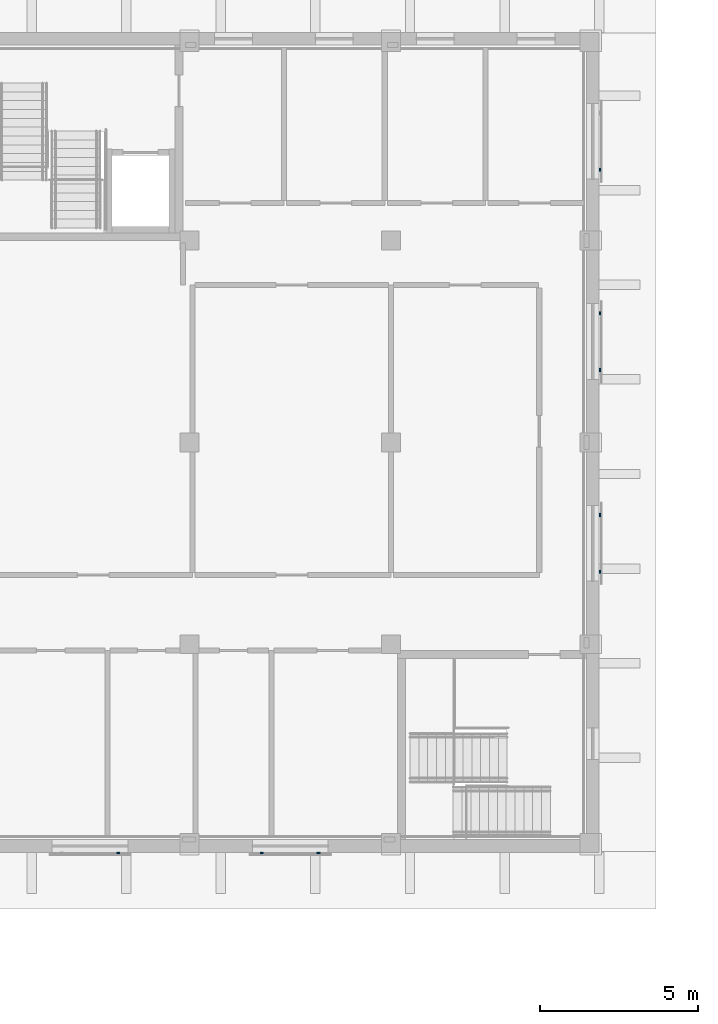
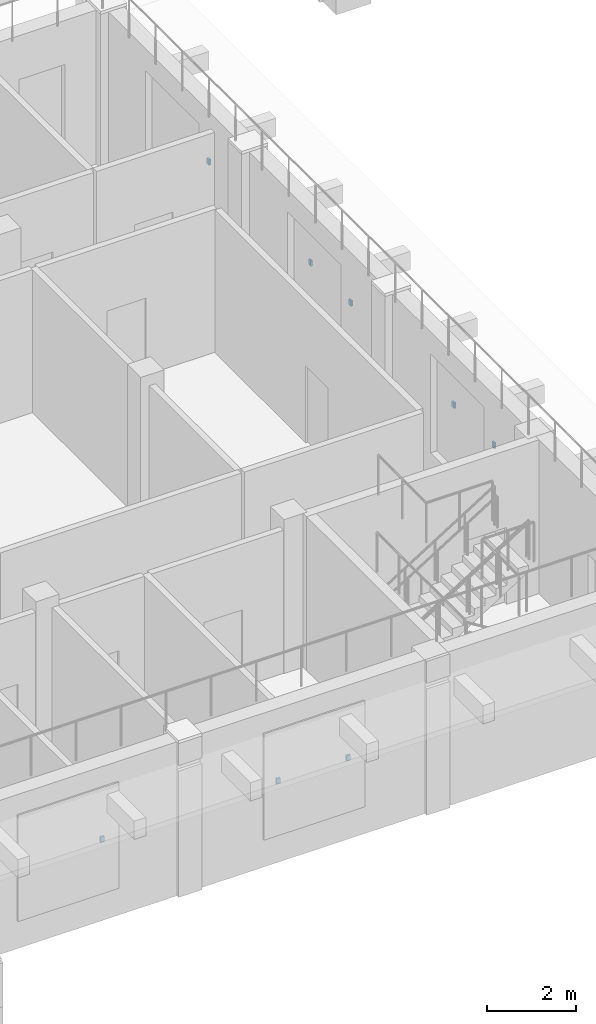
# One storey, part 42 of 68: 8 discrete accessories.
"""IFC4 building model written with IfcOpenShell, lengths in metres."""

import ifcopenshell
import ifcopenshell.guid

model = None  # the IFC model being written
_history = None  # IfcOwnerHistory: only IFC2X3 demands one
_inside = {}  # id of a spatial element -> (the spatial element, [elements in it])
_under = {}  # id of a project, library or spatial element -> (it, [spatial elements below it])
_declared = {}  # id of a project -> (the project, [libraries it declares])
_typed = {}  # id of a type object -> (the type object, [elements of that type])
_made_of = {}  # id of a material, layer set ... -> (it, [elements and type objects made of it])


def new_model(schema):
    """Start an empty IFC model of exactly this schema.

    Asked for "IFC4X3", IfcOpenShell would pick the latest addendum, in which some entities
    have other attributes; the version numbers below select the first issue.
    IFC2X3 requires an IfcOwnerHistory on every rooted entity: one is made here for all.
    """
    global model, _history
    if schema == "IFC4X3":
        model = ifcopenshell.file(schema_version=(4, 3, 0, 0))
    else:
        model = ifcopenshell.file(schema=schema)
    _inside.clear()
    _under.clear()
    _declared.clear()
    _typed.clear()
    _made_of.clear()
    _history = None
    if model.schema == "IFC2X3":
        org = make("IfcOrganization", Name="unknown")
        user = make(
            "IfcPersonAndOrganization",
            ThePerson=make("IfcPerson", FamilyName="unknown"),
            TheOrganization=org,
        )
        app = make(
            "IfcApplication",
            ApplicationDeveloper=org,
            Version="unknown",
            ApplicationFullName="unknown",
            ApplicationIdentifier="unknown",
        )
        _history = make(
            "IfcOwnerHistory",
            OwningUser=user,
            OwningApplication=app,
            ChangeAction="ADDED",
            CreationDate=0,
        )
    return model


def make(cls, **values):
    """One entity of the class cls with the attributes given. An attribute that is None is left unset."""
    return model.create_entity(
        cls, **{name: value for name, value in values.items() if value is not None}
    )


def rooted(cls, **values):
    """An entity with a GlobalId (a new one), such as an element, a storey or a relation."""
    return make(cls, GlobalId=ifcopenshell.guid.new(), OwnerHistory=_history, **values)


def si_unit(unit_type, name, prefix=None):
    """IfcSIUnit, for example si_unit("LENGTHUNIT", "METRE", prefix="MILLI")."""
    return make("IfcSIUnit", UnitType=unit_type, Prefix=prefix, Name=name)


def assignment(units):
    """IfcUnitAssignment: the units of a project."""
    return None if units is None else make("IfcUnitAssignment", Units=units)


def point(xyz):
    """IfcCartesianPoint."""
    return None if xyz is None else make("IfcCartesianPoint", Coordinates=xyz)


def direction(xyz):
    """IfcDirection."""
    return None if xyz is None else make("IfcDirection", DirectionRatios=xyz)


def frame(location, z_axis=None, x_axis=None):
    """IfcAxis2Placement3D, a coordinate frame: its origin and axes. An axis left out is left unset."""
    return make(
        "IfcAxis2Placement3D",
        Location=point(location),
        Axis=direction(z_axis),
        RefDirection=direction(x_axis),
    )


def frame_2d(location, x_axis=None):
    """IfcAxis2Placement2D, a coordinate frame in the plane: its origin and x axis."""
    return make(
        "IfcAxis2Placement2D", Location=point(location), RefDirection=direction(x_axis)
    )


def origin():
    """The frame at (0, 0, 0) with its axes left unset."""
    return frame((0.0, 0.0, 0.0))


def origin_2d():
    """The frame at (0, 0) in the plane with its x axis left unset."""
    return frame_2d((0.0, 0.0))


def place(relative_to, where):
    """IfcLocalPlacement: puts the frame where relative to a parent placement (None: the world)."""
    return make(
        "IfcLocalPlacement", PlacementRelTo=relative_to, RelativePlacement=where
    )


def context(
    kind, dimensions, precision=None, world=None, true_north=None, identifier=None
):
    """IfcGeometricRepresentationContext, for example the 3D "Model" context."""
    return make(
        "IfcGeometricRepresentationContext",
        ContextIdentifier=identifier,
        ContextType=kind,
        CoordinateSpaceDimension=dimensions,
        Precision=precision,
        WorldCoordinateSystem=world,
        TrueNorth=true_north,
    )


def subcontext(parent, identifier, kind, view, scale=None):
    """IfcGeometricRepresentationSubContext, for example "Body" below "Model"."""
    return make(
        "IfcGeometricRepresentationSubContext",
        ContextIdentifier=identifier,
        ContextType=kind,
        ParentContext=parent,
        TargetScale=scale,
        TargetView=view,
    )


def project(units=None, contexts=None):
    """IfcProject with its units and contexts."""
    return rooted(
        "IfcProject",
        Name="project",
        RepresentationContexts=contexts,
        UnitsInContext=assignment(units),
    )


def spatial(cls, under=None, at=None, **own):
    """A site, building, storey or space (cls), placed at a placement, below another one or the project."""
    s = rooted(cls, ObjectPlacement=at, **own)
    if under is not None:
        _under.setdefault(under.id(), (under, []))[1].append(s)
    return s


def profile(cls, at=None, kind="AREA", **sizes):
    """A parametric profile (cls). Its sizes go by their IFC names, for example OverallWidth=200.0."""
    return make(cls, ProfileType=kind, Position=at, **sizes)


def rectangle(**sizes):
    """IfcRectangleProfileDef."""
    return profile("IfcRectangleProfileDef", **sizes)


def extrude(swept, where, along, depth):
    """IfcExtrudedAreaSolid: the profile swept, set in the frame where, extruded along a direction by depth."""
    return make(
        "IfcExtrudedAreaSolid",
        SweptArea=swept,
        Position=where,
        ExtrudedDirection=direction(along),
        Depth=depth,
    )


def shape(context_of_items, identifier, shape_type, items):
    """IfcShapeRepresentation: the items that make up one representation, for example the "Body"."""
    return make(
        "IfcShapeRepresentation",
        ContextOfItems=context_of_items,
        RepresentationIdentifier=identifier,
        RepresentationType=shape_type,
        Items=items,
    )


def made_of(thing, what):
    """Note that an element or type object is made of a material, layer set ...; save() writes the relation."""
    if what is not None:
        _made_of.setdefault(what.id(), (what, []))[1].append(thing)
    return thing


def element(
    cls,
    number,
    at=None,
    inside=None,
    cuts=None,
    type_object=None,
    material=None,
    context=None,
    identifier="Body",
    shape_type=None,
    held_by="IfcProductDefinitionShape",
    body=None,
    shapes=None,
    **own,
):
    """One element of the class cls, such as IfcWall. Its Tag is "e" and its number.

    at: its placement. inside: the storey or other place that contains it. cuts: it is an
    opening in that element (IfcRelVoidsElement). A single representation is given by context,
    identifier, shape_type and body (its items); several are given by shapes. held_by: the class
    of the entity that holds the representations. save() writes the other relations.
    """
    e = rooted(cls, Tag="e%d" % number, ObjectPlacement=at, **own)
    if body is not None:
        shapes = [shape(context, identifier, shape_type, body)]
    if shapes is not None:
        e.Representation = make(held_by, Representations=shapes)
    if inside is not None:
        _inside.setdefault(inside.id(), (inside, []))[1].append(e)
    if cuts is not None:
        rooted(
            "IfcRelVoidsElement", RelatingBuildingElement=cuts, RelatedOpeningElement=e
        )
    if type_object is not None:
        _typed.setdefault(type_object.id(), (type_object, []))[1].append(e)
    return made_of(e, material)


def aggregate(whole, parts):
    """IfcRelAggregates: a whole, such as a stair, and the parts it consists of."""
    return rooted("IfcRelAggregates", RelatingObject=whole, RelatedObjects=parts)


def save(model, path):
    """Write the relations noted so far, then the file.

    IfcRelAggregates (storeys below a building ...), IfcRelContainedInSpatialStructure (elements
    in a storey), IfcRelDefinesByType, IfcRelAssociatesMaterial and IfcRelDeclares: one each for
    every whole, place, type object, material and project.
    """
    for whole, parts in _under.values():
        aggregate(whole, parts)
    for where, things in _inside.values():
        rooted(
            "IfcRelContainedInSpatialStructure",
            RelatedElements=things,
            RelatingStructure=where,
        )
    for kind, things in _typed.values():
        rooted("IfcRelDefinesByType", RelatedObjects=things, RelatingType=kind)
    for what, things in _made_of.values():
        rooted("IfcRelAssociatesMaterial", RelatedObjects=things, RelatingMaterial=what)
    for by, libraries in _declared.values():
        rooted("IfcRelDeclares", RelatingContext=by, RelatedDefinitions=libraries)
    model.write(path)


model = new_model("IFC4")

# Units and contexts
model_context = context("Model", 3, precision=1e-05, world=origin(), true_north=direction((0.0, 1.0)))
body_context = subcontext(model_context, "Body", "Model", "MODEL_VIEW")
ifc_project = project(units=[si_unit("LENGTHUNIT", "METRE"), si_unit("AREAUNIT", "SQUARE_METRE"), si_unit("VOLUMEUNIT", "CUBIC_METRE"), si_unit("PLANEANGLEUNIT", "RADIAN"), si_unit("MASSUNIT", "GRAM", prefix="KILO")], contexts=[model_context])

# Site, building, storey
site_placement = place(None, origin())
site = spatial("IfcSite", under=ifc_project, at=site_placement, CompositionType="ELEMENT")
building_placement = place(site_placement, origin())
building = spatial("IfcBuilding", under=site, at=building_placement, Name="Wasatch Bagh Community Centre", CompositionType="ELEMENT")
storey_placement = place(building_placement, frame((0.0, 0.0, 8.39990234375)))
storey = spatial("IfcBuildingStorey", under=building, at=storey_placement, Name="L02", CompositionType="ELEMENT", Elevation=8.39990234375)

# Discrete accessories
for number, where, z_axis, x_axis, name in (
    (1, (100.75, 5.97509765625, 2.175048828125), (0.0, 0.0, 1.0), (1.0, 0.0, 0.0), "Fixing bracket"),
    (2, (105.300048828125, 5.97509765625, 2.175048828125), (0.0, 0.0, 1.0), (1.0, 0.0, 0.0), "Fixing bracket"),
    (3, (107.10009765625, 5.97509765625, 2.175048828125), (0.0, 0.0, 1.0), (1.0, 0.0, 0.0), "Fixing bracket"),
):
    element("IfcDiscreteAccessory", number, at=place(storey_placement, frame(where, z_axis=z_axis, x_axis=x_axis)), inside=storey, Name=name, PredefinedType="BRACKET", context=body_context, shape_type="SweptSolid", body=[
        extrude(rectangle(XDim=0.10009765625, YDim=0.050048828125, at=origin_2d()), origin(), (0.0, 0.0, 1.0), 0.14990234375),
    ])
for number, where, z_axis, x_axis, name in (
    (4, (116.02490234375, 14.89990234375, 2.175048828125), (0.0, 0.0, 1.0), (1.0, 0.0, 0.0), "Fixing bracket"),
    (5, (116.02490234375, 16.699951171875, 2.175048828125), (0.0, 0.0, 1.0), (1.0, 0.0, 0.0), "Fixing bracket"),
    (6, (116.02490234375, 21.300048828125, 2.175048828125), (0.0, 0.0, 1.0), (1.0, 0.0, 0.0), "Fixing bracket"),
    (7, (116.02490234375, 23.10009765625, 2.175048828125), (0.0, 0.0, 1.0), (1.0, 0.0, 0.0), "Fixing bracket"),
    (8, (116.02490234375, 27.64990234375, 2.175048828125), (0.0, 0.0, 1.0), (1.0, 0.0, 0.0), "Fixing bracket"),
):
    element("IfcDiscreteAccessory", number, at=place(storey_placement, frame(where, z_axis=z_axis, x_axis=x_axis)), inside=storey, Name=name, PredefinedType="BRACKET", context=body_context, shape_type="SweptSolid", body=[
        extrude(rectangle(XDim=0.050048828125, YDim=0.10009765625, at=origin_2d()), origin(), (0.0, 0.0, 1.0), 0.14990234375),
    ])

save(model, "model.ifc")
